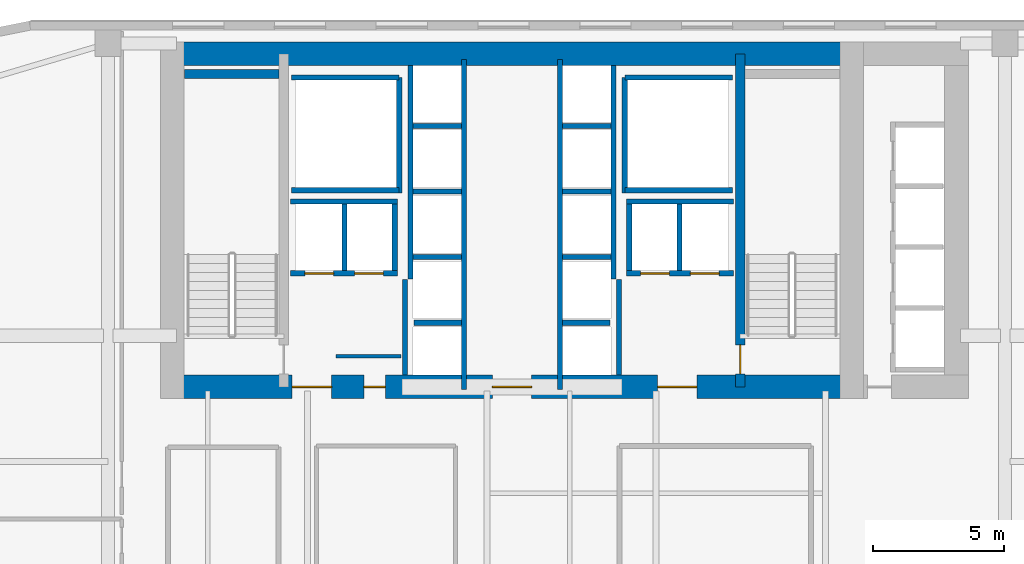
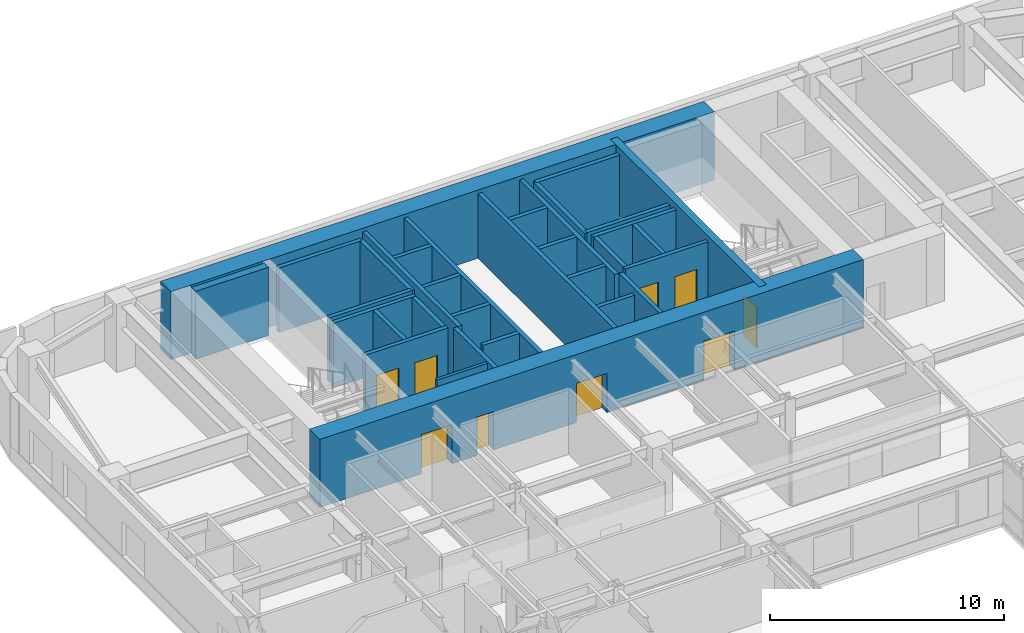
# One storey, part 18 of 25: 33 walls, 9 doors, 9 openings.
"""IFC4 building model written with IfcOpenShell, lengths in metres."""

from ifc_helpers import new_model, si_unit, direction, frame, frame_2d, origin, place, context, subcontext, project, spatial, rectangle, extrude, source, transform, mapped, material, layer, layer_set, type_object, type_shapes, element, fill, save


model = new_model("IFC4")

# Units and contexts
model_context = context("Model", 3, precision=1e-05, world=origin(), true_north=direction((0.0, 1.0)))
body_context = subcontext(model_context, "Body", "Model", "MODEL_VIEW")
ifc_project = project(units=[si_unit("LENGTHUNIT", "METRE"), si_unit("AREAUNIT", "SQUARE_METRE"), si_unit("VOLUMEUNIT", "CUBIC_METRE"), si_unit("PLANEANGLEUNIT", "RADIAN"), si_unit("MASSUNIT", "GRAM", prefix="KILO")], contexts=[model_context])

# Site, building, storey
site_placement = place(None, origin())
site = spatial("IfcSite", under=ifc_project, at=site_placement, CompositionType="ELEMENT")
building_placement = place(site_placement, origin())
building = spatial("IfcBuilding", under=site, at=building_placement, Name="Tolvann Quenvar Hotel", CompositionType="ELEMENT")
storey_placement = place(building_placement, frame((0.0, 0.0, 46.199951171875)))
storey = spatial("IfcBuildingStorey", under=building, at=storey_placement, Name="L10", CompositionType="ELEMENT", Elevation=46.199951171875)

# Wall, openings, doors
ifc_material_1 = material(Name="Concrete S80 (80 MPa)", Category="concrete")
ifc_layer_1 = layer(ifc_material_1, 0.89990234375)
ifc_layer_set_1 = layer_set([ifc_layer_1], Name="Concrete S80 (80 MPa)")
wall_type_1 = type_object("IfcWallType", Name="WALL_CORE_900", PredefinedType="SHEAR", material=ifc_layer_set_1)
wall_1_placement = place(storey_placement, frame((9.60009765625, 32.050048828125, 0.0), z_axis=(0.0, 0.0, 1.0), x_axis=(1.0, 0.0, 0.0)))
wall_1 = element("IfcWall", 1, at=wall_1_placement, inside=storey, type_object=wall_type_1, Name="Rear Core S Shear Wall (L10)", PredefinedType="SHEAR", context=body_context, shape_type="SweptSolid", body=[
    extrude(rectangle(XDim=26.7998046875, YDim=0.89990234375, at=frame_2d((13.39990234375, 0.0))), origin(), (0.0, 0.0, 1.0), 3.550048828125),
])
opening_1_placement = place(wall_1_placement, frame((6.52001953125, 0.0, 0.0), z_axis=(0.0, 0.0, 1.0), x_axis=(-1.0, 0.0, 0.0)))
opening_1 = element("IfcOpeningElement", 2, at=opening_1_placement, cuts=wall_1, Name="Opening FD-60D", PredefinedType="OPENING", context=body_context, shape_type="SweptSolid", body=[
    extrude(rectangle(XDim=1.5, YDim=2.0400390625, at=frame_2d((0.75, 1.02001953125))), frame((0.0, 0.4599609375, 0.0), z_axis=(0.0, -1.0, 0.0), x_axis=(1.0, 0.0, 0.0)), (0.0, 0.0, 1.0), 0.919921875),
])
opening_2_placement = place(wall_1_placement, frame((14.14990234375, 0.0, 0.0), z_axis=(0.0, 0.0, 1.0), x_axis=(-1.0, 0.0, 0.0)))
opening_2 = element("IfcOpeningElement", 3, at=opening_2_placement, cuts=wall_1, Name="Opening FD-60D", PredefinedType="OPENING", context=body_context, shape_type="SweptSolid", body=[
    extrude(rectangle(XDim=1.5, YDim=2.0400390625, at=frame_2d((0.75, 1.02001953125))), frame((0.0, 0.4599609375, 0.0), z_axis=(0.0, -1.0, 0.0), x_axis=(1.0, 0.0, 0.0)), (0.0, 0.0, 1.0), 0.919921875),
])
opening_3_placement = place(wall_1_placement, frame((20.449951171875, 0.0, 0.0), z_axis=(0.0, 0.0, 1.0), x_axis=(-1.0, 0.0, 0.0)))
opening_3 = element("IfcOpeningElement", 4, at=opening_3_placement, cuts=wall_1, Name="Opening FD-60D", PredefinedType="OPENING", context=body_context, shape_type="SweptSolid", body=[
    extrude(rectangle(XDim=1.5, YDim=2.0400390625, at=frame_2d((0.75, 1.02001953125))), frame((0.0, 0.4599609375, 0.0), z_axis=(0.0, -1.0, 0.0), x_axis=(1.0, 0.0, 0.0)), (0.0, 0.0, 1.0), 0.919921875),
])
opening_4_placement = place(wall_1_placement, frame((8.570068359375, 0.0, 0.0), z_axis=(0.0, 0.0, 1.0), x_axis=(-1.0, 0.0, 0.0)))
opening_4 = element("IfcOpeningElement", 5, at=opening_4_placement, cuts=wall_1, Name="Opening HD-02", PredefinedType="OPENING", context=body_context, shape_type="SweptSolid", body=[
    extrude(rectangle(XDim=0.820068359375, YDim=2.010009765625, at=frame_2d((0.41015625, 1.0048828125))), frame((0.0, 0.4599609375, 0.0), z_axis=(0.0, -1.0, 0.0), x_axis=(1.0, 0.0, 0.0)), (0.0, 0.0, 1.0), 0.919921875),
])
ifc_material_2 = material(Name="Solid-core American oak acoustic fire door leaf in steel frame", Category="steel")
door_type_1 = type_object("IfcDoorType", Name="DOOR_FIRE_LOBBY_1500", OperationType="NOTDEFINED", PredefinedType="DOOR", material=ifc_material_2)
shared_shape_1 = source(origin(), body_context, "Body", "SweptSolid", [
    extrude(rectangle(XDim=1.5, YDim=2.0400390625, at=frame_2d((0.75, 1.02001953125))), frame((0.0, 0.02490234375, 0.0), z_axis=(0.0, -1.0, 0.0), x_axis=(1.0, 0.0, 0.0)), (0.0, 0.0, 1.0), 0.050048828125),
])
type_shapes(door_type_1, [shared_shape_1])
door_1_placement = place(opening_1_placement, origin())
door_1 = element("IfcDoor", 6, at=door_1_placement, inside=storey, type_object=door_type_1, Name="Core Lobby Fire Door FFW (L10)", OperationType="DOUBLE_DOOR_SINGLE_SWING", OverallHeight=2.0400390625, OverallWidth=1.5, PredefinedType="DOOR", context=body_context, shape_type="MappedRepresentation", body=[
    mapped(shared_shape_1, transform((0.0, 0.0, 0.0), x_axis=(1.0, 0.0, 0.0), y_axis=(0.0, 1.0, 0.0), z_axis=(0.0, 0.0, 1.0), scale=1.0)),
])
fill(opening_1, door_1)
door_2_placement = place(opening_2_placement, origin())
door_2 = element("IfcDoor", 7, at=door_2_placement, inside=storey, type_object=door_type_1, Name="Core Lobby Fire Door CLOB (L10)", OperationType="DOUBLE_DOOR_SINGLE_SWING", OverallHeight=2.0400390625, OverallWidth=1.5, PredefinedType="DOOR", context=body_context, shape_type="MappedRepresentation", body=[
    mapped(shared_shape_1, transform((0.0, 0.0, 0.0), x_axis=(1.0, 0.0, 0.0), y_axis=(0.0, 1.0, 0.0), z_axis=(0.0, 0.0, 1.0), scale=1.0)),
])
fill(opening_2, door_2)
door_3_placement = place(opening_3_placement, origin())
door_3 = element("IfcDoor", 8, at=door_3_placement, inside=storey, type_object=door_type_1, Name="Core Lobby Fire Door FFE (L10)", OperationType="DOUBLE_DOOR_SINGLE_SWING", OverallHeight=2.0400390625, OverallWidth=1.5, PredefinedType="DOOR", context=body_context, shape_type="MappedRepresentation", body=[
    mapped(shared_shape_1, transform((0.0, 0.0, 0.0), x_axis=(1.0, 0.0, 0.0), y_axis=(0.0, 1.0, 0.0), z_axis=(0.0, 0.0, 1.0), scale=1.0)),
])
fill(opening_3, door_3)
ifc_material_3 = material(Name="Pressed galvanised steel fire-rated door set", Category="steel")
door_type_2 = type_object("IfcDoorType", Name="DOOR_STORE_820", OperationType="NOTDEFINED", PredefinedType="DOOR", material=ifc_material_3)
shared_shape_2 = source(origin(), body_context, "Body", "SweptSolid", [
    extrude(rectangle(XDim=0.820068359375, YDim=2.010009765625, at=frame_2d((0.41015625, 1.0048828125))), frame((0.0, 0.02490234375, 0.0), z_axis=(0.0, -1.0, 0.0), x_axis=(1.0, 0.0, 0.0)), (0.0, 0.0, 1.0), 0.050048828125),
])
type_shapes(door_type_2, [shared_shape_2])
door_4_placement = place(opening_4_placement, origin())
door_4 = element("IfcDoor", 9, at=door_4_placement, inside=storey, type_object=door_type_2, Name="Core Linen Store Fire Door (L10)", OperationType="SINGLE_SWING_RIGHT", OverallHeight=2.010009765625, OverallWidth=0.820068359375, PredefinedType="DOOR", context=body_context, shape_type="MappedRepresentation", body=[
    mapped(shared_shape_2, transform((0.0, 0.0, 0.0), x_axis=(1.0, 0.0, 0.0), y_axis=(0.0, 1.0, 0.0), z_axis=(0.0, 0.0, 1.0), scale=1.0)),
])
fill(opening_4, door_4)

# Wall
wall_2_placement = place(storey_placement, frame((9.60009765625, 44.75, 0.0), z_axis=(0.0, 0.0, 1.0), x_axis=(1.0, 0.0, 0.0)))
element("IfcWall", 10, at=wall_2_placement, inside=storey, type_object=wall_type_1, Name="Rear Core N Shear Wall (L10)", PredefinedType="SHEAR", context=body_context, shape_type="SweptSolid", body=[
    extrude(rectangle(XDim=26.7998046875, YDim=0.89990234375, at=frame_2d((13.39990234375, 0.0))), origin(), (0.0, 0.0, 1.0), 3.550048828125),
])

# Wall, opening, door
ifc_material_4 = material(Name="Concrete S65 (65 MPa)", Category="concrete")
ifc_layer_2 = layer(ifc_material_4, 0.35009765625)
ifc_layer_set_2 = layer_set([ifc_layer_2], Name="Concrete S65 (65 MPa)")
wall_type_2 = type_object("IfcWallType", Name="WALL_CORE_INT_350", PredefinedType="SHEAR", material=ifc_layer_set_2)
wall_3_placement = place(storey_placement, frame((31.699951171875, 32.050048828125, 0.0), z_axis=(0.0, 0.0, 1.0), x_axis=(0.0, 1.0, 0.0)))
wall_3 = element("IfcWall", 11, at=wall_3_placement, inside=storey, type_object=wall_type_2, Name="Core Internal Web Shear Wall WEB-E (L10)", PredefinedType="SHEAR", context=body_context, shape_type="SweptSolid", body=[
    extrude(rectangle(XDim=12.699951171875, YDim=0.35009765625, at=frame_2d((6.35009765625, 0.0))), origin(), (0.0, 0.0, 1.0), 3.550048828125),
])
opening_5_placement = place(wall_3_placement, frame((1.60009765625, 0.0, 0.0), z_axis=(0.0, 0.0, 1.0), x_axis=(-1.0, 0.0, 0.0)))
opening_5 = element("IfcOpeningElement", 12, at=opening_5_placement, cuts=wall_3, Name="Opening FD-120", PredefinedType="OPENING", context=body_context, shape_type="SweptSolid", body=[
    extrude(rectangle(XDim=1.10009765625, YDim=2.1201171875, at=frame_2d((0.550048828125, 1.06005859375))), frame((0.0, 0.18505859375, 0.0), z_axis=(0.0, -1.0, 0.0), x_axis=(1.0, 0.0, 0.0)), (0.0, 0.0, 1.0), 0.3701171875),
])
door_type_3 = type_object("IfcDoorType", Name="DOOR_FIRE_STAIR_1100", OperationType="NOTDEFINED", PredefinedType="DOOR", material=ifc_material_3)
shared_shape_3 = source(origin(), body_context, "Body", "SweptSolid", [
    extrude(rectangle(XDim=1.10009765625, YDim=2.1201171875, at=frame_2d((0.550048828125, 1.06005859375))), frame((0.0, 0.02490234375, 0.0), z_axis=(0.0, -1.0, 0.0), x_axis=(1.0, 0.0, 0.0)), (0.0, 0.0, 1.0), 0.050048828125),
])
type_shapes(door_type_3, [shared_shape_3])
door_5_placement = place(opening_5_placement, origin())
door_5 = element("IfcDoor", 13, at=door_5_placement, inside=storey, type_object=door_type_3, Name="Exit Stair ST-C2 Fire Door (L10)", OperationType="SINGLE_SWING_LEFT", OverallHeight=2.1201171875, OverallWidth=1.10009765625, PredefinedType="DOOR", context=body_context, shape_type="MappedRepresentation", body=[
    mapped(shared_shape_3, transform((0.0, 0.0, 0.0), x_axis=(1.0, 0.0, 0.0), y_axis=(0.0, 1.0, 0.0), z_axis=(0.0, 0.0, 1.0), scale=1.0)),
])
fill(opening_5, door_5)

# Walls
wall_4_placement = place(storey_placement, frame((10.52001953125, 43.97509765625, 0.0), z_axis=(0.0, 0.0, 1.0), x_axis=(1.0, 0.0, 0.0)))
element("IfcWall", 14, at=wall_4_placement, inside=storey, type_object=wall_type_2, Name="Core Stair North Closing Shear Wall STC1-N (L10)", PredefinedType="SHEAR", context=body_context, shape_type="SweptSolid", body=[
    extrude(rectangle(XDim=3.60009765625, YDim=0.35009765625, at=frame_2d((1.800048828125, 0.0))), origin(), (0.0, 0.0, 1.0), 3.550048828125),
])
ifc_material_5 = material(Name="Acoustic twin-stud fire-rated gypsum plasterboard partition")
ifc_layer_3 = layer(ifc_material_5, 0.14990234375)
ifc_layer_set_3 = layer_set([ifc_layer_3], Name="Acoustic twin-stud fire-rated gypsum plasterboard partition")
wall_type_3 = type_object("IfcWallType", Name="WALL_PART_SUITE_150", PredefinedType="PARTITIONING", material=ifc_layer_set_3)
wall_5_placement = place(storey_placement, frame((16.280029296875, 33.219970703125, 0.0), z_axis=(0.0, 0.0, 1.0), x_axis=(1.0, 0.0, 0.0)))
element("IfcWall", 15, at=wall_5_placement, inside=storey, type_object=wall_type_3, Name="Interior Partition PT-SPC-L10-CSW-1-N", PredefinedType="PARTITIONING", context=body_context, shape_type="SweptSolid", body=[
    extrude(rectangle(XDim=2.48486328125, YDim=0.14990234375, at=frame_2d((1.242431640625, 0.0))), origin(), (0.0, 0.0, 1.0), 3.3701171875),
])
ifc_material_6 = material(Name="Concrete N40 (40 MPa)", Category="concrete")
ifc_layer_4 = layer(ifc_material_6, 0.199951171875)
ifc_layer_set_4 = layer_set([ifc_layer_4], Name="Concrete N40 (40 MPa)")
wall_type_4 = type_object("IfcWallType", Name="WALL_SHAFT_200", PredefinedType="SOLIDWALL", material=ifc_layer_set_4)
wall_6_placement = place(storey_placement, frame((18.699951171875, 39.449951171875, 0.0), z_axis=(0.0, 0.0, 1.0), x_axis=(0.0, 1.0, 0.0)))
element("IfcWall", 16, at=wall_6_placement, inside=storey, type_object=wall_type_4, Name="Service Riser W Shaft Wall IN (L10)", PredefinedType="SOLIDWALL", context=body_context, shape_type="SweptSolid", body=[
    extrude(rectangle(XDim=4.400146484375, YDim=0.199951171875, at=frame_2d((2.2001953125, 0.0))), origin(), (0.0, 0.0, 1.0), 3.3701171875),
])
for number, where, z_axis, x_axis, name in (
    (17, (14.60009765625, 39.550048828125, 0.0), (0.0, 0.0, 1.0), (1.0, 0.0, 0.0), "Service Riser W Shaft Wall S (L10)"),
    (18, (14.60009765625, 43.85009765625, 0.0), (0.0, 0.0, 1.0), (1.0, 0.0, 0.0), "Service Riser W Shaft Wall N (L10)"),
):
    element("IfcWall", number, at=place(storey_placement, frame(where, z_axis=z_axis, x_axis=x_axis)), inside=storey, type_object=wall_type_4, Name=name, PredefinedType="SOLIDWALL", context=body_context, shape_type="SweptSolid", body=[
        extrude(rectangle(XDim=4.099853515625, YDim=0.199951171875, at=frame_2d((2.0498046875, 0.0))), origin(), (0.0, 0.0, 1.0), 3.3701171875),
    ])
wall_7_placement = place(storey_placement, frame((27.300048828125, 39.449951171875, 0.0), z_axis=(0.0, 0.0, 1.0), x_axis=(0.0, 1.0, 0.0)))
element("IfcWall", 19, at=wall_7_placement, inside=storey, type_object=wall_type_4, Name="Service Riser E Shaft Wall IN (L10)", PredefinedType="SOLIDWALL", context=body_context, shape_type="SweptSolid", body=[
    extrude(rectangle(XDim=4.400146484375, YDim=0.199951171875, at=frame_2d((2.2001953125, 0.0))), origin(), (0.0, 0.0, 1.0), 3.3701171875),
])
for number, where, z_axis, x_axis, name in (
    (20, (27.300048828125, 39.550048828125, 0.0), (0.0, 0.0, 1.0), (1.0, 0.0, 0.0), "Service Riser E Shaft Wall S (L10)"),
    (21, (27.300048828125, 43.85009765625, 0.0), (0.0, 0.0, 1.0), (1.0, 0.0, 0.0), "Service Riser E Shaft Wall N (L10)"),
):
    element("IfcWall", number, at=place(storey_placement, frame(where, z_axis=z_axis, x_axis=x_axis)), inside=storey, type_object=wall_type_4, Name=name, PredefinedType="SOLIDWALL", context=body_context, shape_type="SweptSolid", body=[
        extrude(rectangle(XDim=4.099853515625, YDim=0.199951171875, at=frame_2d((2.0498046875, 0.0))), origin(), (0.0, 0.0, 1.0), 3.3701171875),
    ])
for number, where, z_axis, x_axis, name in (
    (22, (18.919921875, 32.50390625, 0.0), (0.0, 0.0, 1.0), (0.0, 1.0, 0.0), "Firefighting Lobby W Inner Fire Wall (L10)"),
    (23, (27.080078125, 32.50390625, 0.0), (0.0, 0.0, 1.0), (0.0, 1.0, 0.0), "Firefighting Lobby E Inner Fire Wall (L10)"),
):
    element("IfcWall", number, at=place(storey_placement, frame(where, z_axis=z_axis, x_axis=x_axis)), inside=storey, type_object=wall_type_4, Name=name, PredefinedType="SOLIDWALL", context=body_context, shape_type="SweptSolid", body=[
        extrude(rectangle(XDim=3.64599609375, YDim=0.199951171875, at=frame_2d((1.822998046875, 0.0))), origin(), (0.0, 0.0, 1.0), 3.3701171875),
    ])
wall_8_placement = place(storey_placement, frame((21.169921875, 31.9599609375, 0.0), z_axis=(0.0, 0.0, 1.0), x_axis=(0.0, 1.0, 0.0)))
element("IfcWall", 24, at=wall_8_placement, inside=storey, type_object=wall_type_4, Name="Lift Bank E21.1C1 Hoistway Front Wall (L10)", PredefinedType="SOLIDWALL", context=body_context, shape_type="SweptSolid", body=[
    extrude(rectangle(XDim=12.580078125, YDim=0.199951171875, at=frame_2d((6.2900390625, 0.0))), origin(), (0.0, 0.0, 1.0), 3.3701171875),
])
wall_9_placement = place(storey_placement, frame((19.1298828125, 36.159912109375, 0.0), z_axis=(0.0, 0.0, 1.0), x_axis=(0.0, 1.0, 0.0)))
element("IfcWall", 25, at=wall_9_placement, inside=storey, type_object=wall_type_4, Name="Lift Bank E21.1C1 Hoistway Rear Wall (L10)", PredefinedType="SOLIDWALL", context=body_context, shape_type="SweptSolid", body=[
    extrude(rectangle(XDim=8.135986328125, YDim=0.199951171875, at=frame_2d((4.06787109375, 0.0))), origin(), (0.0, 0.0, 1.0), 3.3701171875),
])
wall_10_placement = place(storey_placement, frame((19.27001953125, 34.5, 0.0), z_axis=(0.0, 0.0, 1.0), x_axis=(1.0, 0.0, 0.0)))
element("IfcWall", 26, at=wall_10_placement, inside=storey, type_object=wall_type_4, Name="Lift Bank E21.1C1 Divider Wall 1 (L10)", PredefinedType="SOLIDWALL", context=body_context, shape_type="SweptSolid", body=[
    extrude(rectangle(XDim=1.800048828125, YDim=0.199951171875, at=frame_2d((0.89990234375, 0.0))), origin(), (0.0, 0.0, 1.0), 3.3701171875),
])
for number, where, z_axis, x_axis, name in (
    (27, (19.22998046875, 37.0, 0.0), (0.0, 0.0, 1.0), (1.0, 0.0, 0.0), "Lift Bank E21.1C1 Divider Wall 2 (L10)"),
    (28, (19.22998046875, 39.5, 0.0), (0.0, 0.0, 1.0), (1.0, 0.0, 0.0), "Lift Bank E21.1C1 Divider Wall 3 (L10)"),
    (29, (19.22998046875, 42.0, 0.0), (0.0, 0.0, 1.0), (1.0, 0.0, 0.0), "Lift Bank E21.1C1 Divider Wall 4 (L10)"),
):
    element("IfcWall", number, at=place(storey_placement, frame(where, z_axis=z_axis, x_axis=x_axis)), inside=storey, type_object=wall_type_4, Name=name, PredefinedType="SOLIDWALL", context=body_context, shape_type="SweptSolid", body=[
        extrude(rectangle(XDim=1.840087890625, YDim=0.199951171875, at=frame_2d((0.919921875, 0.0))), origin(), (0.0, 0.0, 1.0), 3.3701171875),
    ])

# Wall, openings, doors
wall_11_placement = place(storey_placement, frame((27.375, 36.3798828125, 0.0), z_axis=(0.0, 0.0, 1.0), x_axis=(1.0, 0.0, 0.0)))
wall_11 = element("IfcWall", 30, at=wall_11_placement, inside=storey, type_object=wall_type_4, Name="Lift Bank SEC1 Hoistway Front Wall (L10)", PredefinedType="SOLIDWALL", context=body_context, shape_type="SweptSolid", body=[
    extrude(rectangle(XDim=4.074951171875, YDim=0.199951171875, at=frame_2d((2.03759765625, 0.0))), origin(), (0.0, 0.0, 1.0), 3.3701171875),
])
opening_6_placement = place(wall_11_placement, frame((0.52490234375, 0.0, 0.0)))
opening_6 = element("IfcOpeningElement", 31, at=opening_6_placement, cuts=wall_11, Name="Opening LD-01", PredefinedType="OPENING", context=body_context, shape_type="SweptSolid", body=[
    extrude(rectangle(XDim=1.10009765625, YDim=2.1201171875, at=frame_2d((0.550048828125, 1.06005859375))), frame((0.0, 0.10986328125, 0.0), z_axis=(0.0, -1.0, 0.0), x_axis=(1.0, 0.0, 0.0)), (0.0, 0.0, 1.0), 0.219970703125),
])
opening_7_placement = place(wall_11_placement, frame((2.425048828125, 0.0, 0.0)))
opening_7 = element("IfcOpeningElement", 32, at=opening_7_placement, cuts=wall_11, Name="Opening LD-01", PredefinedType="OPENING", context=body_context, shape_type="SweptSolid", body=[
    extrude(rectangle(XDim=1.10009765625, YDim=2.1201171875, at=frame_2d((0.550048828125, 1.06005859375))), frame((0.0, 0.10986328125, 0.0), z_axis=(0.0, -1.0, 0.0), x_axis=(1.0, 0.0, 0.0)), (0.0, 0.0, 1.0), 0.219970703125),
])
ifc_material_7 = material(Name="Brushed 316 stainless steel automatic sliding lift landing door", Category="steel")
door_type_4 = type_object("IfcDoorType", Name="DOOR_LIFT_SLIDE_1100", OperationType="NOTDEFINED", PredefinedType="DOOR", material=ifc_material_7)
shared_shape_4 = source(origin(), body_context, "Body", "SweptSolid", [
    extrude(rectangle(XDim=1.10009765625, YDim=2.1201171875, at=frame_2d((0.550048828125, 1.06005859375))), frame((0.0, 0.02490234375, 0.0), z_axis=(0.0, -1.0, 0.0), x_axis=(1.0, 0.0, 0.0)), (0.0, 0.0, 1.0), 0.050048828125),
])
type_shapes(door_type_4, [shared_shape_4])
door_6_placement = place(opening_6_placement, origin())
door_6 = element("IfcDoor", 33, at=door_6_placement, inside=storey, type_object=door_type_4, Name="Lift SV-2 Sliding Landing Door (L10)", OperationType="SLIDING_TO_LEFT", OverallHeight=2.1201171875, OverallWidth=1.10009765625, PredefinedType="DOOR", context=body_context, shape_type="MappedRepresentation", body=[
    mapped(shared_shape_4, transform((0.0, 0.0, 0.0), x_axis=(1.0, 0.0, 0.0), y_axis=(0.0, 1.0, 0.0), z_axis=(0.0, 0.0, 1.0), scale=1.0)),
])
fill(opening_6, door_6)
door_7_placement = place(opening_7_placement, origin())
door_7 = element("IfcDoor", 34, at=door_7_placement, inside=storey, type_object=door_type_4, Name="Lift FF-2 Sliding Landing Door (L10)", OperationType="SLIDING_TO_RIGHT", OverallHeight=2.1201171875, OverallWidth=1.10009765625, PredefinedType="DOOR", context=body_context, shape_type="MappedRepresentation", body=[
    mapped(shared_shape_4, transform((0.0, 0.0, 0.0), x_axis=(1.0, 0.0, 0.0), y_axis=(0.0, 1.0, 0.0), z_axis=(0.0, 0.0, 1.0), scale=1.0)),
])
fill(opening_7, door_7)

# Walls
wall_12_placement = place(storey_placement, frame((27.375, 39.1201171875, 0.0), z_axis=(0.0, 0.0, 1.0), x_axis=(1.0, 0.0, 0.0)))
element("IfcWall", 35, at=wall_12_placement, inside=storey, type_object=wall_type_4, Name="Lift Bank SEC1 Hoistway Rear Wall (L10)", PredefinedType="SOLIDWALL", context=body_context, shape_type="SweptSolid", body=[
    extrude(rectangle(XDim=4.074951171875, YDim=0.199951171875, at=frame_2d((2.03759765625, 0.0))), origin(), (0.0, 0.0, 1.0), 3.3701171875),
])
for number, where, z_axis, x_axis, name in (
    (36, (27.47509765625, 36.47998046875, 0.0), (0.0, 0.0, 1.0), (0.0, 1.0, 0.0), "Lift Bank SEC1 Hoistway Cheek Wall 1 (L10)"),
    (37, (29.387451171875, 36.47998046875, 0.0), (0.0, 0.0, 1.0), (0.0, 1.0, 0.0), "Lift Bank SEC1 Divider Wall 1 (L10)"),
):
    element("IfcWall", number, at=place(storey_placement, frame(where, z_axis=z_axis, x_axis=x_axis)), inside=storey, type_object=wall_type_4, Name=name, PredefinedType="SOLIDWALL", context=body_context, shape_type="SweptSolid", body=[
        extrude(rectangle(XDim=2.5400390625, YDim=0.199951171875, at=frame_2d((1.27001953125, 0.0))), origin(), (0.0, 0.0, 1.0), 3.3701171875),
    ])

# Wall, openings, doors
wall_13_placement = place(storey_placement, frame((14.550048828125, 36.3798828125, 0.0), z_axis=(0.0, 0.0, 1.0), x_axis=(1.0, 0.0, 0.0)))
wall_13 = element("IfcWall", 38, at=wall_13_placement, inside=storey, type_object=wall_type_4, Name="Lift Bank SWC1 Hoistway Front Wall (L10)", PredefinedType="SOLIDWALL", context=body_context, shape_type="SweptSolid", body=[
    extrude(rectangle(XDim=4.074951171875, YDim=0.199951171875, at=frame_2d((2.03759765625, 0.0))), origin(), (0.0, 0.0, 1.0), 3.3701171875),
])
opening_8_placement = place(wall_13_placement, frame((0.550048828125, 0.0, 0.0)))
opening_8 = element("IfcOpeningElement", 39, at=opening_8_placement, cuts=wall_13, Name="Opening LD-01", PredefinedType="OPENING", context=body_context, shape_type="SweptSolid", body=[
    extrude(rectangle(XDim=1.10009765625, YDim=2.1201171875, at=frame_2d((0.550048828125, 1.06005859375))), frame((0.0, 0.10986328125, 0.0), z_axis=(0.0, -1.0, 0.0), x_axis=(1.0, 0.0, 0.0)), (0.0, 0.0, 1.0), 0.219970703125),
])
opening_9_placement = place(wall_13_placement, frame((2.449951171875, 0.0, 0.0)))
opening_9 = element("IfcOpeningElement", 40, at=opening_9_placement, cuts=wall_13, Name="Opening LD-01", PredefinedType="OPENING", context=body_context, shape_type="SweptSolid", body=[
    extrude(rectangle(XDim=1.10009765625, YDim=2.1201171875, at=frame_2d((0.550048828125, 1.06005859375))), frame((0.0, 0.10986328125, 0.0), z_axis=(0.0, -1.0, 0.0), x_axis=(1.0, 0.0, 0.0)), (0.0, 0.0, 1.0), 0.219970703125),
])
door_8_placement = place(opening_8_placement, origin())
door_8 = element("IfcDoor", 41, at=door_8_placement, inside=storey, type_object=door_type_4, Name="Lift FF-1 Sliding Landing Door (L10)", OperationType="SLIDING_TO_LEFT", OverallHeight=2.1201171875, OverallWidth=1.10009765625, PredefinedType="DOOR", context=body_context, shape_type="MappedRepresentation", body=[
    mapped(shared_shape_4, transform((0.0, 0.0, 0.0), x_axis=(1.0, 0.0, 0.0), y_axis=(0.0, 1.0, 0.0), z_axis=(0.0, 0.0, 1.0), scale=1.0)),
])
fill(opening_8, door_8)
door_9_placement = place(opening_9_placement, origin())
door_9 = element("IfcDoor", 42, at=door_9_placement, inside=storey, type_object=door_type_4, Name="Lift SV-1 Sliding Landing Door (L10)", OperationType="SLIDING_TO_RIGHT", OverallHeight=2.1201171875, OverallWidth=1.10009765625, PredefinedType="DOOR", context=body_context, shape_type="MappedRepresentation", body=[
    mapped(shared_shape_4, transform((0.0, 0.0, 0.0), x_axis=(1.0, 0.0, 0.0), y_axis=(0.0, 1.0, 0.0), z_axis=(0.0, 0.0, 1.0), scale=1.0)),
])
fill(opening_9, door_9)

# Walls
wall_14_placement = place(storey_placement, frame((14.550048828125, 39.1201171875, 0.0), z_axis=(0.0, 0.0, 1.0), x_axis=(1.0, 0.0, 0.0)))
element("IfcWall", 43, at=wall_14_placement, inside=storey, type_object=wall_type_4, Name="Lift Bank SWC1 Hoistway Rear Wall (L10)", PredefinedType="SOLIDWALL", context=body_context, shape_type="SweptSolid", body=[
    extrude(rectangle(XDim=4.074951171875, YDim=0.199951171875, at=frame_2d((2.03759765625, 0.0))), origin(), (0.0, 0.0, 1.0), 3.3701171875),
])
for number, where, z_axis, x_axis, name in (
    (44, (18.52490234375, 36.47998046875, 0.0), (0.0, 0.0, 1.0), (0.0, 1.0, 0.0), "Lift Bank SWC1 Hoistway Cheek Wall 2 (L10)"),
    (45, (16.612548828125, 36.47998046875, 0.0), (0.0, 0.0, 1.0), (0.0, 1.0, 0.0), "Lift Bank SWC1 Divider Wall 1 (L10)"),
):
    element("IfcWall", number, at=place(storey_placement, frame(where, z_axis=z_axis, x_axis=x_axis)), inside=storey, type_object=wall_type_4, Name=name, PredefinedType="SOLIDWALL", context=body_context, shape_type="SweptSolid", body=[
        extrude(rectangle(XDim=2.5400390625, YDim=0.199951171875, at=frame_2d((1.27001953125, 0.0))), origin(), (0.0, 0.0, 1.0), 3.3701171875),
    ])
wall_15_placement = place(storey_placement, frame((24.830078125, 31.9599609375, 0.0), z_axis=(0.0, 0.0, 1.0), x_axis=(0.0, 1.0, 0.0)))
element("IfcWall", 46, at=wall_15_placement, inside=storey, type_object=wall_type_4, Name="Lift Bank W24.9C1 Hoistway Front Wall (L10)", PredefinedType="SOLIDWALL", context=body_context, shape_type="SweptSolid", body=[
    extrude(rectangle(XDim=12.580078125, YDim=0.199951171875, at=frame_2d((6.2900390625, 0.0))), origin(), (0.0, 0.0, 1.0), 3.3701171875),
])
wall_16_placement = place(storey_placement, frame((26.8701171875, 36.159912109375, 0.0), z_axis=(0.0, 0.0, 1.0), x_axis=(0.0, 1.0, 0.0)))
element("IfcWall", 47, at=wall_16_placement, inside=storey, type_object=wall_type_4, Name="Lift Bank W24.9C1 Hoistway Rear Wall (L10)", PredefinedType="SOLIDWALL", context=body_context, shape_type="SweptSolid", body=[
    extrude(rectangle(XDim=8.135986328125, YDim=0.199951171875, at=frame_2d((4.06787109375, 0.0))), origin(), (0.0, 0.0, 1.0), 3.3701171875),
])
wall_17_placement = place(storey_placement, frame((24.929931640625, 34.5, 0.0), z_axis=(0.0, 0.0, 1.0), x_axis=(1.0, 0.0, 0.0)))
element("IfcWall", 48, at=wall_17_placement, inside=storey, type_object=wall_type_4, Name="Lift Bank W24.9C1 Divider Wall 1 (L10)", PredefinedType="SOLIDWALL", context=body_context, shape_type="SweptSolid", body=[
    extrude(rectangle(XDim=1.800048828125, YDim=0.199951171875, at=frame_2d((0.89990234375, 0.0))), origin(), (0.0, 0.0, 1.0), 3.3701171875),
])
for number, where, z_axis, x_axis, name in (
    (49, (24.929931640625, 37.0, 0.0), (0.0, 0.0, 1.0), (1.0, 0.0, 0.0), "Lift Bank W24.9C1 Divider Wall 2 (L10)"),
    (50, (24.929931640625, 39.5, 0.0), (0.0, 0.0, 1.0), (1.0, 0.0, 0.0), "Lift Bank W24.9C1 Divider Wall 3 (L10)"),
    (51, (24.929931640625, 42.0, 0.0), (0.0, 0.0, 1.0), (1.0, 0.0, 0.0), "Lift Bank W24.9C1 Divider Wall 4 (L10)"),
):
    element("IfcWall", number, at=place(storey_placement, frame(where, z_axis=z_axis, x_axis=x_axis)), inside=storey, type_object=wall_type_4, Name=name, PredefinedType="SOLIDWALL", context=body_context, shape_type="SweptSolid", body=[
        extrude(rectangle(XDim=1.840087890625, YDim=0.199951171875, at=frame_2d((0.919921875, 0.0))), origin(), (0.0, 0.0, 1.0), 3.3701171875),
    ])

save(model, "model.ifc")
